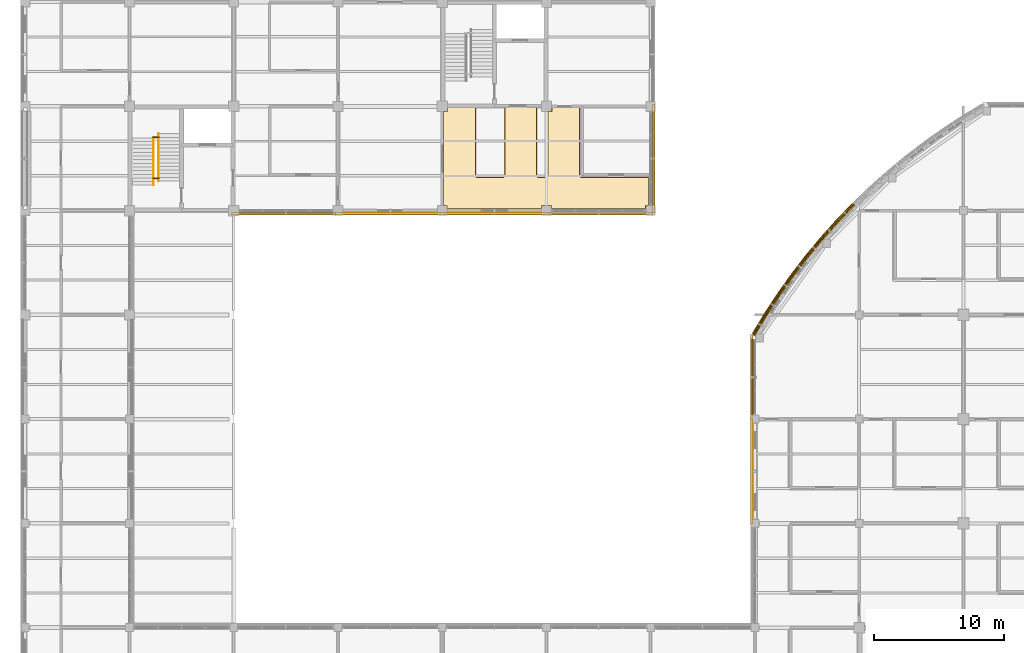
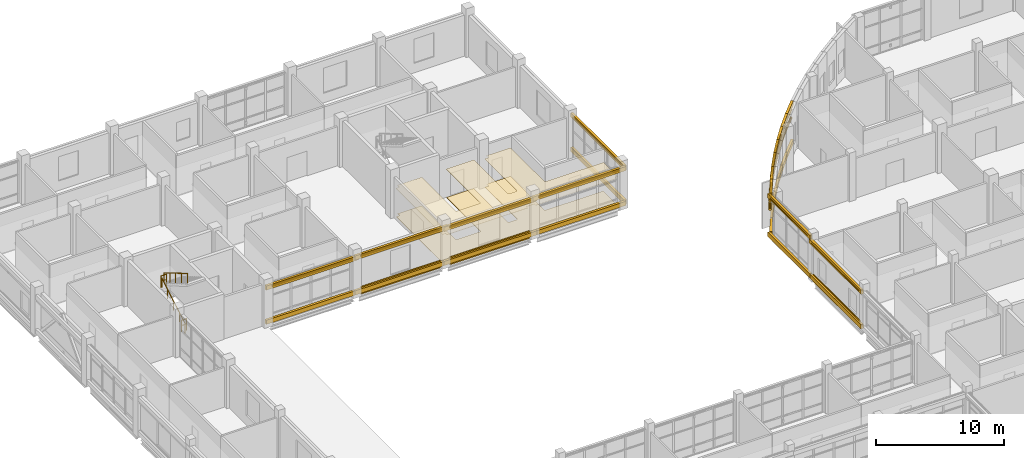
# One storey, part 115 of 121: 33 coverings, 21 shading devices, 4 railings.
"""IFC4 building model written with IfcOpenShell, lengths in metres."""

from ifc_helpers import new_model, si_unit, derived_unit, direction, frame, origin, origin_2d, place, context, subcontext, project, spatial, polyline, rectangle, circle, outline, extrude, material, layer, layer_set, material_profile, profile_set, type_object, element, save


model = new_model("IFC4")

# Units and contexts
model_context = context("Model", 3, precision=1e-05, world=origin(), true_north=direction((0.0, 1.0)))
body_context = subcontext(model_context, "Body", "Model", "MODEL_VIEW")
ifc_project = project(units=[si_unit("LENGTHUNIT", "METRE"), si_unit("AREAUNIT", "SQUARE_METRE"), si_unit("VOLUMEUNIT", "CUBIC_METRE"), si_unit("PLANEANGLEUNIT", "RADIAN"), si_unit("MASSUNIT", "GRAM", prefix="KILO"), derived_unit("THERMALTRANSMITTANCEUNIT", [(si_unit("MASSUNIT", "GRAM", prefix="KILO"), 1), (si_unit("TIMEUNIT", "SECOND"), -3), (si_unit("THERMODYNAMICTEMPERATUREUNIT", "KELVIN"), -1)])], contexts=[model_context])

# Site, building, storey
site_placement = place(None, origin())
site = spatial("IfcSite", under=ifc_project, at=site_placement, CompositionType="ELEMENT")
building_placement = place(site_placement, origin())
building = spatial("IfcBuilding", under=site, at=building_placement, Name="Veyamyaing Civic Hall", CompositionType="ELEMENT")
storey_placement = place(building_placement, frame((0.0, 0.0, 5.280029296875)))
storey = spatial("IfcBuildingStorey", under=building, at=storey_placement, Name="L01", CompositionType="ELEMENT", Elevation=5.280029296875)

# Coverings
ifc_material_1 = material(Name="Buff sandstone ashlar cladding", Category="masonry")
ifc_layer_1 = layer(ifc_material_1, 0.050048828125, Name="Buff sandstone ashlar cladding")
ifc_layer_set_1 = layer_set([ifc_layer_1], Name="Buff sandstone ashlar cladding")
covering_type_1 = type_object("IfcCoveringType", Name="CL-01", PredefinedType="CLADDING", material=ifc_layer_set_1)
for number, where, z_axis, x_axis, name in (
    (1, (28.0, 87.839111328125, 0.044921875), (0.0, 0.0, 1.0), (1.0, 0.0, 0.0), "Facade spandrel cladding CL-01 L01 S 4.12"),
    (2, (36.0, 87.839111328125, 0.044921875), (0.0, 0.0, 1.0), (1.0, 0.0, 0.0), "Facade spandrel cladding CL-01 L01 S 5.12"),
):
    element("IfcCovering", number, at=place(storey_placement, frame(where, z_axis=z_axis, x_axis=x_axis)), inside=storey, type_object=covering_type_1, Name=name, PredefinedType="CLADDING", context=body_context, shape_type="SweptSolid", body=[
        extrude(rectangle(XDim=7.199951171875, YDim=0.050048828125, at=origin_2d()), origin(), (0.0, 0.0, 1.0), 0.75),
    ])
covering_1_placement = place(storey_placement, frame((55.826416015625, 68.0, 0.044921875), z_axis=(0.0, 0.0, 1.0), x_axis=(0.0, 1.0, 0.0)))
element("IfcCovering", 3, at=covering_1_placement, inside=storey, type_object=covering_type_1, Name="Facade spandrel cladding CL-01 L01 W 8.9", PredefinedType="CLADDING", context=body_context, shape_type="SweptSolid", body=[
    extrude(rectangle(XDim=7.35009765625, YDim=0.050048828125, at=origin_2d()), origin(), (0.0, 0.0, 1.0), 0.75),
])
ifc_material_2 = material(Name="White powder-coated aluminium 6063-T6", Category="aluminium")
ifc_layer_2 = layer(ifc_material_2, 0.2099609375, Name="White powder-coated aluminium 6063-T6")
ifc_layer_set_2 = layer_set([ifc_layer_2], Name="White powder-coated aluminium 6063-T6")
covering_type_2 = type_object("IfcCoveringType", Name="CL-03", PredefinedType="CLADDING", material=ifc_layer_set_2)
for number, where, z_axis, x_axis, name in (
    (4, (62.94775390625, 87.781005859375, 0.27001953125), (0.0, 0.0, 1.0), (-0.693760978012, -0.720205321688, 0.0), "Continuous white corner ribbon CL-03 L01 NW.8.1"),
    (5, (62.94775390625, 87.781005859375, 3.945068359375), (0.0, 0.0, 1.0), (-0.693760978012, -0.720205321688, 0.0), "Continuous white corner ribbon CL-03 L01 NW.8.2"),
    (6, (61.72509765625, 86.463134765625, 0.27001953125), (0.0, 0.0, 1.0), (-0.666346529453, -0.745642208225, 0.0), "Continuous white corner ribbon CL-03 L01 NW.9.1"),
    (7, (61.72509765625, 86.463134765625, 3.945068359375), (0.0, 0.0, 1.0), (-0.666346529453, -0.745642208225, 0.0), "Continuous white corner ribbon CL-03 L01 NW.9.2"),
    (8, (60.55224609375, 85.1005859375, 0.27001953125), (0.0, 0.0, 1.0), (-0.638000405445, -0.770036026853, 0.0), "Continuous white corner ribbon CL-03 L01 NW.10.1"),
    (9, (60.55224609375, 85.1005859375, 3.945068359375), (0.0, 0.0, 1.0), (-0.638000405445, -0.770036026853, 0.0), "Continuous white corner ribbon CL-03 L01 NW.10.2"),
    (10, (59.431396484375, 83.69482421875, 0.27001953125), (0.0, 0.0, 1.0), (-0.608761490723, -0.793353292936, 0.0), "Continuous white corner ribbon CL-03 L01 NW.11.1"),
    (11, (59.431396484375, 83.69482421875, 3.945068359375), (0.0, 0.0, 1.0), (-0.608761490723, -0.793353292936, 0.0), "Continuous white corner ribbon CL-03 L01 NW.11.2"),
    (12, (58.364013671875, 82.248291015625, 0.27001953125), (0.0, 0.0, 1.0), (-0.578671161892, -0.815560964241, 0.0), "Continuous white corner ribbon CL-03 L01 NW.12.1"),
    (13, (58.364013671875, 82.248291015625, 3.945068359375), (0.0, 0.0, 1.0), (-0.578671161892, -0.815560964241, 0.0), "Continuous white corner ribbon CL-03 L01 NW.12.2"),
    (14, (57.351318359375, 80.76318359375, 0.27001953125), (0.0, 0.0, 1.0), (-0.547771714075, -0.836627843942, 0.0), "Continuous white corner ribbon CL-03 L01 NW.13.1"),
    (15, (57.351318359375, 80.76318359375, 3.945068359375), (0.0, 0.0, 1.0), (-0.547771714075, -0.836627843942, 0.0), "Continuous white corner ribbon CL-03 L01 NW.13.2"),
    (16, (56.394775390625, 79.24072265625, 0.27001953125), (0.0, 0.0, 1.0), (-0.516106513571, -0.856524411006, 0.0), "Continuous white corner ribbon CL-03 L01 NW.14.1"),
    (17, (56.394775390625, 79.24072265625, 3.945068359375), (0.0, 0.0, 1.0), (-0.516106513571, -0.856524411006, 0.0), "Continuous white corner ribbon CL-03 L01 NW.14.2"),
):
    element("IfcCovering", number, at=place(storey_placement, frame(where, z_axis=z_axis, x_axis=x_axis)), inside=storey, type_object=covering_type_2, Name=name, PredefinedType="CLADDING", context=body_context, shape_type="SweptSolid", body=[
        extrude(rectangle(XDim=1.93505859375, YDim=0.2099609375, at=origin_2d()), origin(), (0.0, 0.0, 1.0), 0.419921875),
    ])
for number, where, z_axis, x_axis, name in (
    (18, (20.0, 87.760009765625, 3.533935546875), (0.0, 0.0, 1.0), (1.0, 0.0, 0.0), "Continuous white head fascia ribbon CL-03 L01 S 3.12"),
    (19, (20.0, 87.760009765625, 0.280029296875), (0.0, 0.0, 1.0), (1.0, 0.0, 0.0), "Continuous white sill fascia ribbon CL-03 L01 S 3.12"),
    (20, (28.0, 87.760009765625, 3.596923828125), (0.0, 0.0, 1.0), (1.0, 0.0, 0.0), "Continuous white head fascia ribbon CL-03 L01 S 4.12"),
    (21, (28.0, 87.760009765625, 0.280029296875), (0.0, 0.0, 1.0), (1.0, 0.0, 0.0), "Continuous white sill fascia ribbon CL-03 L01 S 4.12"),
    (22, (36.0, 87.760009765625, 3.530029296875), (0.0, 0.0, 1.0), (1.0, 0.0, 0.0), "Continuous white head fascia ribbon CL-03 L01 S 5.12"),
    (23, (36.0, 87.760009765625, 0.280029296875), (0.0, 0.0, 1.0), (1.0, 0.0, 0.0), "Continuous white sill fascia ribbon CL-03 L01 S 5.12"),
    (24, (44.0, 87.760009765625, 3.593994140625), (0.0, 0.0, 1.0), (1.0, 0.0, 0.0), "Continuous white head fascia ribbon CL-03 L01 S 6.12"),
    (25, (44.0, 87.760009765625, 0.280029296875), (0.0, 0.0, 1.0), (1.0, 0.0, 0.0), "Continuous white sill fascia ribbon CL-03 L01 S 6.12"),
    (26, (48.239990234375, 92.0, 3.533935546875), (0.0, 0.0, 1.0), (0.0, 1.0, 0.0), "Continuous white head fascia ribbon CL-03 L01 E 6.12"),
    (27, (48.239990234375, 92.0, 0.280029296875), (0.0, 0.0, 1.0), (0.0, 1.0, 0.0), "Continuous white sill fascia ribbon CL-03 L01 E 6.12"),
):
    element("IfcCovering", number, at=place(storey_placement, frame(where, z_axis=z_axis, x_axis=x_axis)), inside=storey, type_object=covering_type_2, Name=name, PredefinedType="CLADDING", context=body_context, shape_type="SweptSolid", body=[
        extrude(rectangle(XDim=8.360107421875, YDim=0.2099609375, at=origin_2d()), origin(), (0.0, 0.0, 1.0), 0.39990234375),
    ])
for number, where, z_axis, x_axis, name in (
    (28, (55.760009765625, 68.0, 3.574951171875), (0.0, 0.0, 1.0), (0.0, 1.0, 0.0), "Continuous white head fascia ribbon CL-03 L01 W 8.9"),
    (29, (55.760009765625, 68.0, 0.280029296875), (0.0, 0.0, 1.0), (0.0, 1.0, 0.0), "Continuous white sill fascia ribbon CL-03 L01 W 8.9"),
):
    element("IfcCovering", number, at=place(storey_placement, frame(where, z_axis=z_axis, x_axis=x_axis)), inside=storey, type_object=covering_type_2, Name=name, PredefinedType="CLADDING", context=body_context, shape_type="SweptSolid", body=[
        extrude(rectangle(XDim=8.1201171875, YDim=0.2099609375, at=origin_2d()), origin(), (0.0, 0.0, 1.0), 0.39990234375),
    ])
for number, where, z_axis, x_axis, name in (
    (30, (55.760009765625, 75.21533203125, 3.955078125), (0.0, 0.0, 1.0), (0.0, 1.0, 0.0), "Continuous white head fascia ribbon CL-03 L01 W 8.10"),
    (31, (55.760009765625, 75.21533203125, 0.280029296875), (0.0, 0.0, 1.0), (0.0, 1.0, 0.0), "Continuous white sill fascia ribbon CL-03 L01 W 8.10"),
):
    element("IfcCovering", number, at=place(storey_placement, frame(where, z_axis=z_axis, x_axis=x_axis)), inside=storey, type_object=covering_type_2, Name=name, PredefinedType="CLADDING", context=body_context, shape_type="SweptSolid", body=[
        extrude(rectangle(XDim=6.55078125, YDim=0.2099609375, at=origin_2d()), origin(), (0.0, 0.0, 1.0), 0.39990234375),
    ])
ifc_material_3 = material(Name="Perforated acoustic gypsum ceiling board")
ifc_layer_3 = layer(ifc_material_3, 0.02490234375, Name="Perforated acoustic gypsum ceiling board")
ifc_layer_set_3 = layer_set([ifc_layer_3], Name="Perforated acoustic gypsum ceiling board")
covering_type_3 = type_object("IfcCoveringType", Name="CLG-01", PredefinedType="CEILING", material=ifc_layer_set_3)
covering_2_placement = place(storey_placement, frame((0.0, 0.0, 2.699951171875)))
element("IfcCovering", 32, at=covering_2_placement, inside=storey, type_object=covering_type_3, Name="Acoustic suspended ceiling CLG-01 L01-C03", PredefinedType="CEILING", context=body_context, shape_type="SweptSolid", body=[
    extrude(outline(polyline([(42.5927734375, 90.602294921875), (42.6083984375, 90.587890625), (42.62841796875, 90.57861328125), (42.65185546875, 90.574951171875), (47.844970703125, 90.574951171875), (47.844970703125, 88.360107421875), (47.639892578125, 88.360107421875), (47.639892578125, 88.155029296875), (40.360107421875, 88.155029296875), (40.360107421875, 88.360107421875), (39.639892578125, 88.360107421875), (39.639892578125, 88.155029296875), (32.360107421875, 88.155029296875), (32.360107421875, 88.360107421875), (32.074951171875, 88.360107421875), (32.074951171875, 95.614990234375), (32.385009765625, 95.614990234375), (32.385009765625, 95.925048828125), (34.574951171875, 95.925048828125), (34.574951171875, 90.652587890625), (34.581298828125, 90.620849609375), (34.59228515625, 90.6025390625), (34.6083984375, 90.587890625), (34.62841796875, 90.57861328125), (34.65185546875, 90.574951171875), (36.697509765625, 90.574951171875), (36.728515625, 90.581298828125), (36.752685546875, 90.597412109375), (36.768798828125, 90.62158203125), (36.77490234375, 90.652587890625), (36.77490234375, 95.925048828125), (39.27490234375, 95.925048828125), (39.275390625, 90.643310546875), (39.28076171875, 90.6220703125), (39.29736328125, 90.597412109375), (39.322021484375, 90.580810546875), (39.34326171875, 90.575439453125), (39.99755859375, 90.574951171875), (40.028564453125, 90.581298828125), (40.052734375, 90.597412109375), (40.06884765625, 90.62158203125), (40.074951171875, 90.652587890625), (40.074951171875, 95.614990234375), (40.385009765625, 95.614990234375), (40.385009765625, 95.925048828125), (42.574951171875, 95.925048828125), (42.574951171875, 90.65185546875), (42.578369140625, 90.62890625), (42.5927734375, 90.602294921875)])), origin(), (0.0, 0.0, 1.0), 0.02490234375),
])
ifc_material_4 = material(Name="Polished Mandalay marble and terrazzo flooring", Category="masonry")
ifc_layer_4 = layer(ifc_material_4, 0.030029296875, Name="Polished Mandalay marble and terrazzo flooring")
ifc_layer_set_4 = layer_set([ifc_layer_4], Name="Polished Mandalay marble and terrazzo flooring")
covering_type_4 = type_object("IfcCoveringType", Name="FLR-01", PredefinedType="FLOORING", material=ifc_layer_set_4)
covering_3_placement = place(storey_placement, origin())
element("IfcCovering", 33, at=covering_3_placement, inside=storey, type_object=covering_type_4, Name="Stone and terrazzo flooring FLR-01 L01-C03", PredefinedType="FLOORING", context=body_context, shape_type="SweptSolid", body=[
    extrude(outline(polyline([(42.57275390625, 90.586669921875), (42.594482421875, 90.56689453125), (42.62109375, 90.55419921875), (42.64990234375, 90.550048828125), (47.820068359375, 90.550048828125), (47.820068359375, 88.385009765625), (47.614990234375, 88.385009765625), (47.614990234375, 88.179931640625), (40.385009765625, 88.179931640625), (40.385009765625, 88.385009765625), (39.614990234375, 88.385009765625), (39.614990234375, 88.179931640625), (32.385009765625, 88.179931640625), (32.385009765625, 88.385009765625), (32.10009765625, 88.385009765625), (32.10009765625, 95.590087890625), (32.409912109375, 95.590087890625), (32.409912109375, 95.89990234375), (34.550048828125, 95.89990234375), (34.550048828125, 90.64990234375), (34.5576171875, 90.61181640625), (34.57275390625, 90.586669921875), (34.594482421875, 90.56689453125), (34.62109375, 90.55419921875), (34.64990234375, 90.550048828125), (36.699951171875, 90.550048828125), (36.73828125, 90.5576171875), (36.770751953125, 90.579345703125), (36.79248046875, 90.61181640625), (36.800048828125, 90.64990234375), (36.800048828125, 95.89990234375), (39.25, 95.89990234375), (39.25048828125, 90.64013671875), (39.257568359375, 90.61181640625), (39.279296875, 90.579345703125), (39.311767578125, 90.5576171875), (39.340087890625, 90.550537109375), (40.0, 90.550048828125), (40.038330078125, 90.5576171875), (40.07080078125, 90.579345703125), (40.09228515625, 90.61181640625), (40.10009765625, 90.64990234375), (40.10009765625, 95.590087890625), (40.409912109375, 95.590087890625), (40.409912109375, 95.89990234375), (42.550048828125, 95.89990234375), (42.550048828125, 90.64990234375), (42.55419921875, 90.62109375), (42.57275390625, 90.586669921875)])), origin(), (0.0, 0.0, 1.0), 0.030029296875),
])

# Railings
ifc_material_5 = material(Name="Steel S355J2", Category="steel")
railing_type_1 = type_object("IfcRailingType", Name="RL-01", PredefinedType="BALUSTRADE", material=ifc_material_5)
railing_1_placement = place(storey_placement, frame((9.780029296875, 93.6298828125, 2.31005859375)))
element("IfcRailing", 34, at=railing_1_placement, inside=storey, type_object=railing_type_1, Name="Half-landing slot guard RL-01 ST-01 L01", PredefinedType="BALUSTRADE", context=body_context, shape_type="SweptSolid", body=[
    extrude(circle(Radius=0.02392578125, at=origin_2d()), frame((0.0, 0.0, 1.076171875), z_axis=(1.0, 0.0, 0.0), x_axis=(0.0, 1.0, 0.0)), (0.0, 0.0, 1.0), 0.489990234375),
    extrude(circle(Radius=0.01416015625, at=origin_2d()), frame((0.0, 0.0, 0.572021484375), z_axis=(1.0, 0.0, 0.0), x_axis=(0.0, 1.0, 0.0)), (0.0, 0.0, 1.0), 0.489990234375),
    extrude(circle(Radius=0.02099609375, at=origin_2d()), origin(), (0.0, 0.0, 1.0), 1.052001953125),
    extrude(circle(Radius=0.02099609375, at=origin_2d()), frame((0.489990234375, 0.0, 0.0)), (0.0, 0.0, 1.0), 1.052001953125),
])
railing_2_placement = place(storey_placement, frame((9.800048828125, 90.47998046875, 0.0)))
element("IfcRailing", 35, at=railing_2_placement, inside=storey, type_object=railing_type_1, Name="Floor-landing slot guard RL-01 ST-01 L01", PredefinedType="BALUSTRADE", context=body_context, shape_type="SweptSolid", body=[
    extrude(circle(Radius=0.02392578125, at=origin_2d()), frame((0.0, 0.0, 1.076171875), z_axis=(1.0, 0.0, 0.0), x_axis=(0.0, 1.0, 0.0)), (0.0, 0.0, 1.0), 0.469970703125),
    extrude(circle(Radius=0.01416015625, at=origin_2d()), frame((0.0, 0.0, 0.572021484375), z_axis=(1.0, 0.0, 0.0), x_axis=(0.0, 1.0, 0.0)), (0.0, 0.0, 1.0), 0.469970703125),
    extrude(circle(Radius=0.02099609375, at=origin_2d()), origin(), (0.0, 0.0, 1.0), 1.052001953125),
    extrude(circle(Radius=0.02099609375, at=origin_2d()), frame((0.469970703125, 0.0, 0.0)), (0.0, 0.0, 1.0), 1.052001953125),
])
railing_type_2 = type_object("IfcRailingType", Name="RL-02", PredefinedType="HANDRAIL", material=ifc_material_5)
railing_3_placement = place(storey_placement, frame((9.840087890625, 89.949951171875, 0.1650390625)))
element("IfcRailing", 36, at=railing_3_placement, inside=storey, type_object=railing_type_2, Name="Stair pitch handrail RL-02 ST-01 L01.1", PredefinedType="HANDRAIL", context=body_context, shape_type="SweptSolid", body=[
    extrude(circle(Radius=0.02392578125, at=origin_2d()), frame((0.0, 0.0, 0.89599609375), z_axis=(0.0, 0.861544779993, 0.507681585313), x_axis=(-1.0, 0.0, 0.0)), (0.0, 0.0, 1.0), 4.22509765625),
    extrude(circle(Radius=0.02099609375, at=origin_2d()), origin(), (0.0, 0.0, 1.0), 0.871826171875),
    extrude(circle(Radius=0.02099609375, at=origin_2d()), frame((0.0, 0.91015625, 0.5361328125)), (0.0, 0.0, 1.0), 0.871826171875),
    extrude(circle(Radius=0.02099609375, at=origin_2d()), frame((0.0, 1.820068359375, 1.072509765625)), (0.0, 0.0, 1.0), 0.871826171875),
    extrude(circle(Radius=0.02099609375, at=origin_2d()), frame((0.0, 2.72998046875, 1.60888671875)), (0.0, 0.0, 1.0), 0.871826171875),
    extrude(circle(Radius=0.02099609375, at=origin_2d()), frame((0.0, 3.64013671875, 2.14501953125)), (0.0, 0.0, 1.0), 0.871826171875),
])
railing_4_placement = place(storey_placement, frame((10.219970703125, 93.909912109375, 2.474853515625)))
element("IfcRailing", 37, at=railing_4_placement, inside=storey, type_object=railing_type_2, Name="Stair pitch handrail RL-02 ST-01 L01.2", PredefinedType="HANDRAIL", context=body_context, shape_type="SweptSolid", body=[
    extrude(circle(Radius=0.02392578125, at=origin_2d()), frame((0.0, 0.0, 0.89599609375), z_axis=(0.0, -0.861529885852, 0.507706860091), x_axis=(1.0, 0.0, 0.0)), (0.0, 0.0, 1.0), 4.224853515625),
    extrude(circle(Radius=0.02099609375, at=origin_2d()), origin(), (0.0, 0.0, 1.0), 0.871826171875),
    extrude(circle(Radius=0.02099609375, at=origin_2d()), frame((0.0, -0.909912109375, 0.5361328125)), (0.0, 0.0, 1.0), 0.871826171875),
    extrude(circle(Radius=0.02099609375, at=origin_2d()), frame((0.0, -1.81982421875, 1.072509765625)), (0.0, 0.0, 1.0), 0.871826171875),
    extrude(circle(Radius=0.02099609375, at=origin_2d()), frame((0.0, -2.72998046875, 1.60888671875)), (0.0, 0.0, 1.0), 0.871826171875),
    extrude(circle(Radius=0.02099609375, at=origin_2d()), frame((0.0, -3.639892578125, 2.14501953125)), (0.0, 0.0, 1.0), 0.871826171875),
])

# Shading devices
ifc_material_profile_1 = material_profile(ifc_material_2, circle(Radius=0.110107421875, at=origin_2d()), Name="SHADE-TUBE-220")
ifc_profile_set_1 = profile_set([ifc_material_profile_1], Name="White powder-coated aluminium 6063-T6")
shading_device_type_1 = type_object("IfcShadingDeviceType", Name="SH-01", PredefinedType="USERDEFINED", material=ifc_profile_set_1)
for number, where, z_axis, x_axis, name in (
    (38, (63.512939453125, 88.48291015625, 2.75), (-0.693790654785, -0.720176733402, 0.0), (0.720176733402, -0.693790654785, 0.0), "White corner sunshade ribbon SH-01 L01 NW.8.1"),
    (39, (63.512939453125, 88.48291015625, 3.550048828125), (-0.693790654785, -0.720176733402, 0.0), (0.720176733402, -0.693790654785, 0.0), "White corner sunshade ribbon SH-01 L01 NW.8.2"),
):
    element("IfcShadingDevice", number, at=place(storey_placement, frame(where, z_axis=z_axis, x_axis=x_axis)), inside=storey, type_object=shading_device_type_1, Name=name, ObjectType="SUNSHADE", PredefinedType="USERDEFINED", context=body_context, shape_type="SweptSolid", body=[
        extrude(circle(Radius=0.110107421875, at=origin_2d()), origin(), (0.0, 0.0, 1.0), 1.794921875),
    ])
for number, where, z_axis, x_axis, name in (
    (40, (62.263427734375, 87.185791015625, 2.75), (-0.666277888361, -0.745703543965, 0.0), (0.745703543965, -0.666277888361, 0.0), "White corner sunshade ribbon SH-01 L01 NW.9.1"),
    (41, (62.263427734375, 87.185791015625, 3.550048828125), (-0.666277888361, -0.745703543965, 0.0), (0.745703543965, -0.666277888361, 0.0), "White corner sunshade ribbon SH-01 L01 NW.9.2"),
    (42, (61.0634765625, 85.8427734375, 2.75), (-0.637987912111, -0.770046377824, 0.0), (0.770046377824, -0.637987912111, 0.0), "White corner sunshade ribbon SH-01 L01 NW.10.1"),
    (43, (61.0634765625, 85.8427734375, 3.550048828125), (-0.637987912111, -0.770046377824, 0.0), (0.770046377824, -0.637987912111, 0.0), "White corner sunshade ribbon SH-01 L01 NW.10.2"),
    (44, (59.914306640625, 84.455810546875, 2.75), (-0.608711298549, -0.79339180423, 0.0), (0.79339180423, -0.608711298549, 0.0), "White corner sunshade ribbon SH-01 L01 NW.11.1"),
    (45, (59.914306640625, 84.455810546875, 3.550048828125), (-0.608711298549, -0.79339180423, 0.0), (0.79339180423, -0.608711298549, 0.0), "White corner sunshade ribbon SH-01 L01 NW.11.2"),
):
    element("IfcShadingDevice", number, at=place(storey_placement, frame(where, z_axis=z_axis, x_axis=x_axis)), inside=storey, type_object=shading_device_type_1, Name=name, ObjectType="SUNSHADE", PredefinedType="USERDEFINED", context=body_context, shape_type="SweptSolid", body=[
        extrude(circle(Radius=0.110107421875, at=origin_2d()), origin(), (0.0, 0.0, 1.0), 1.795166015625),
    ])
for number, where, z_axis, x_axis, name in (
    (46, (58.818115234375, 83.026611328125, 2.75), (-0.578726580586, -0.815521639764, 0.0), (0.815521639764, -0.578726580586, 0.0), "White corner sunshade ribbon SH-01 L01 NW.12.1"),
    (47, (58.818115234375, 83.026611328125, 3.550048828125), (-0.578726580586, -0.815521639764, 0.0), (0.815521639764, -0.578726580586, 0.0), "White corner sunshade ribbon SH-01 L01 NW.12.2"),
):
    element("IfcShadingDevice", number, at=place(storey_placement, frame(where, z_axis=z_axis, x_axis=x_axis)), inside=storey, type_object=shading_device_type_1, Name=name, ObjectType="SUNSHADE", PredefinedType="USERDEFINED", context=body_context, shape_type="SweptSolid", body=[
        extrude(circle(Radius=0.110107421875, at=origin_2d()), origin(), (0.0, 0.0, 1.0), 1.794921875),
    ])
for number, where, z_axis, x_axis, name in (
    (48, (57.77587890625, 81.557861328125, 2.75), (-0.547776876079, -0.836624464161, 0.0), (0.836624464161, -0.547776876079, 0.0), "White corner sunshade ribbon SH-01 L01 NW.13.1"),
    (49, (57.77587890625, 81.557861328125, 3.550048828125), (-0.547776876079, -0.836624464161, 0.0), (0.836624464161, -0.547776876079, 0.0), "White corner sunshade ribbon SH-01 L01 NW.13.2"),
):
    element("IfcShadingDevice", number, at=place(storey_placement, frame(where, z_axis=z_axis, x_axis=x_axis)), inside=storey, type_object=shading_device_type_1, Name=name, ObjectType="SUNSHADE", PredefinedType="USERDEFINED", context=body_context, shape_type="SweptSolid", body=[
        extrude(circle(Radius=0.110107421875, at=origin_2d()), origin(), (0.0, 0.0, 1.0), 1.795166015625),
    ])
for number, where, z_axis, x_axis, name in (
    (50, (56.789306640625, 80.05078125, 2.75), (-0.51607516088, -0.856543302071, 0.0), (0.856543302071, -0.51607516088, 0.0), "White corner sunshade ribbon SH-01 L01 NW.14.1"),
    (51, (56.789306640625, 80.05078125, 3.550048828125), (-0.51607516088, -0.856543302071, 0.0), (0.856543302071, -0.51607516088, 0.0), "White corner sunshade ribbon SH-01 L01 NW.14.2"),
):
    element("IfcShadingDevice", number, at=place(storey_placement, frame(where, z_axis=z_axis, x_axis=x_axis)), inside=storey, type_object=shading_device_type_1, Name=name, ObjectType="SUNSHADE", PredefinedType="USERDEFINED", context=body_context, shape_type="SweptSolid", body=[
        extrude(circle(Radius=0.110107421875, at=origin_2d()), origin(), (0.0, 0.0, 1.0), 1.794921875),
    ])
shading_device_1_placement = place(storey_placement, frame((55.760009765625, 64.284912109375, 3.73486328125), z_axis=(0.0, 1.0, 0.0), x_axis=(-1.0, 0.0, 0.0)))
element("IfcShadingDevice", 52, at=shading_device_1_placement, inside=storey, type_object=shading_device_type_1, Name="Horizontal white sunshade ribbon SH-01 L01 W 8.9", ObjectType="SUNSHADE", PredefinedType="USERDEFINED", context=body_context, shape_type="SweptSolid", body=[
    extrude(circle(Radius=0.110107421875, at=origin_2d()), origin(), (0.0, 0.0, 1.0), 7.43017578125),
])
shading_device_2_placement = place(storey_placement, frame((55.760009765625, 72.284912109375, 4.114990234375), z_axis=(0.0, 1.0, 0.0), x_axis=(-1.0, 0.0, 0.0)))
element("IfcShadingDevice", 53, at=shading_device_2_placement, inside=storey, type_object=shading_device_type_1, Name="Horizontal white sunshade ribbon SH-01 L01 W 8.10", ObjectType="SUNSHADE", PredefinedType="USERDEFINED", context=body_context, shape_type="SweptSolid", body=[
    extrude(circle(Radius=0.110107421875, at=origin_2d()), origin(), (0.0, 0.0, 1.0), 5.86083984375),
])
ifc_material_profile_2 = material_profile(ifc_material_2, circle(Radius=0.090087890625, at=origin_2d()), Name="SHADE-TUBE-180")
ifc_profile_set_2 = profile_set([ifc_material_profile_2], Name="White powder-coated aluminium 6063-T6")
shading_device_type_2 = type_object("IfcShadingDeviceType", Name="SH-02", PredefinedType="USERDEFINED", material=ifc_profile_set_2)
shading_device_3_placement = place(storey_placement, frame((16.385009765625, 87.760009765625, 3.694091796875), z_axis=(1.0, 0.0, 0.0), x_axis=(0.0, 1.0, 0.0)))
element("IfcShadingDevice", 54, at=shading_device_3_placement, inside=storey, type_object=shading_device_type_2, Name="Horizontal white sunshade ribbon SH-02 L01 S 3.12", ObjectType="SUNSHADE", PredefinedType="USERDEFINED", context=body_context, shape_type="SweptSolid", body=[
    extrude(circle(Radius=0.090087890625, at=origin_2d()), origin(), (0.0, 0.0, 1.0), 7.2548828125),
])
for number, where, z_axis, x_axis, name in (
    (55, (24.360107421875, 87.760009765625, 3.757080078125), (1.0, 0.0, 0.0), (0.0, 1.0, 0.0), "Horizontal white sunshade ribbon SH-02 L01 S 4.12"),
    (56, (32.360107421875, 87.760009765625, 3.68994140625), (1.0, 0.0, 0.0), (0.0, 1.0, 0.0), "Horizontal white sunshade ribbon SH-02 L01 S 5.12"),
    (57, (40.360107421875, 87.760009765625, 3.75390625), (1.0, 0.0, 0.0), (0.0, 1.0, 0.0), "Horizontal white sunshade ribbon SH-02 L01 S 6.12"),
    (58, (48.239990234375, 88.360107421875, 3.694091796875), (0.0, 1.0, 0.0), (-1.0, 0.0, 0.0), "Horizontal white sunshade ribbon SH-02 L01 E 6.12"),
):
    element("IfcShadingDevice", number, at=place(storey_placement, frame(where, z_axis=z_axis, x_axis=x_axis)), inside=storey, type_object=shading_device_type_2, Name=name, ObjectType="SUNSHADE", PredefinedType="USERDEFINED", context=body_context, shape_type="SweptSolid", body=[
        extrude(circle(Radius=0.090087890625, at=origin_2d()), origin(), (0.0, 0.0, 1.0), 7.27978515625),
    ])

save(model, "model.ifc")
